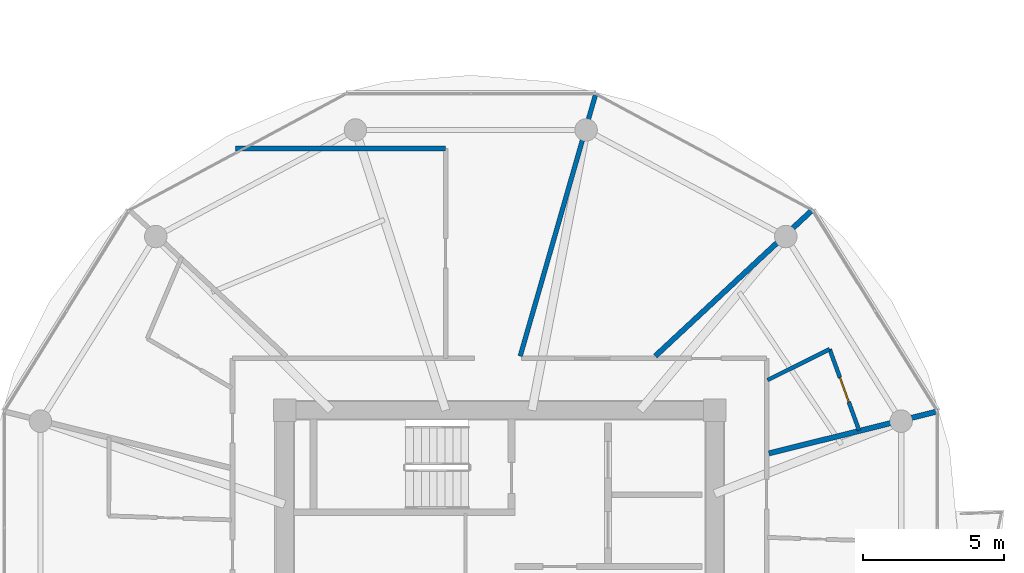
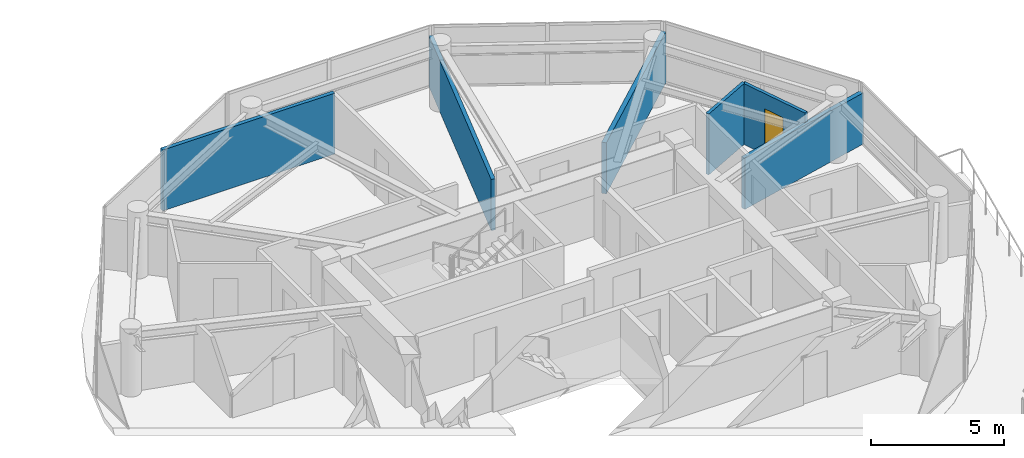
# One storey, part 18 of 24: 6 walls, 1 door, 1 opening.
"""IFC4 building model written with IfcOpenShell, lengths in metres."""

import ifcopenshell
import ifcopenshell.guid

model = None  # the IFC model being written
_history = None  # IfcOwnerHistory: only IFC2X3 demands one
_inside = {}  # id of a spatial element -> (the spatial element, [elements in it])
_under = {}  # id of a project, library or spatial element -> (it, [spatial elements below it])
_declared = {}  # id of a project -> (the project, [libraries it declares])
_typed = {}  # id of a type object -> (the type object, [elements of that type])
_made_of = {}  # id of a material, layer set ... -> (it, [elements and type objects made of it])


def new_model(schema):
    """Start an empty IFC model of exactly this schema.

    Asked for "IFC4X3", IfcOpenShell would pick the latest addendum, in which some entities
    have other attributes; the version numbers below select the first issue.
    IFC2X3 requires an IfcOwnerHistory on every rooted entity: one is made here for all.
    """
    global model, _history
    if schema == "IFC4X3":
        model = ifcopenshell.file(schema_version=(4, 3, 0, 0))
    else:
        model = ifcopenshell.file(schema=schema)
    _inside.clear()
    _under.clear()
    _declared.clear()
    _typed.clear()
    _made_of.clear()
    _history = None
    if model.schema == "IFC2X3":
        org = make("IfcOrganization", Name="unknown")
        user = make(
            "IfcPersonAndOrganization",
            ThePerson=make("IfcPerson", FamilyName="unknown"),
            TheOrganization=org,
        )
        app = make(
            "IfcApplication",
            ApplicationDeveloper=org,
            Version="unknown",
            ApplicationFullName="unknown",
            ApplicationIdentifier="unknown",
        )
        _history = make(
            "IfcOwnerHistory",
            OwningUser=user,
            OwningApplication=app,
            ChangeAction="ADDED",
            CreationDate=0,
        )
    return model


def make(cls, **values):
    """One entity of the class cls with the attributes given. An attribute that is None is left unset."""
    return model.create_entity(
        cls, **{name: value for name, value in values.items() if value is not None}
    )


def rooted(cls, **values):
    """An entity with a GlobalId (a new one), such as an element, a storey or a relation."""
    return make(cls, GlobalId=ifcopenshell.guid.new(), OwnerHistory=_history, **values)


def si_unit(unit_type, name, prefix=None):
    """IfcSIUnit, for example si_unit("LENGTHUNIT", "METRE", prefix="MILLI")."""
    return make("IfcSIUnit", UnitType=unit_type, Prefix=prefix, Name=name)


def assignment(units):
    """IfcUnitAssignment: the units of a project."""
    return None if units is None else make("IfcUnitAssignment", Units=units)


def point(xyz):
    """IfcCartesianPoint."""
    return None if xyz is None else make("IfcCartesianPoint", Coordinates=xyz)


def direction(xyz):
    """IfcDirection."""
    return None if xyz is None else make("IfcDirection", DirectionRatios=xyz)


def frame(location, z_axis=None, x_axis=None):
    """IfcAxis2Placement3D, a coordinate frame: its origin and axes. An axis left out is left unset."""
    return make(
        "IfcAxis2Placement3D",
        Location=point(location),
        Axis=direction(z_axis),
        RefDirection=direction(x_axis),
    )


def frame_2d(location, x_axis=None):
    """IfcAxis2Placement2D, a coordinate frame in the plane: its origin and x axis."""
    return make(
        "IfcAxis2Placement2D", Location=point(location), RefDirection=direction(x_axis)
    )


def origin():
    """The frame at (0, 0, 0) with its axes left unset."""
    return frame((0.0, 0.0, 0.0))


def place(relative_to, where):
    """IfcLocalPlacement: puts the frame where relative to a parent placement (None: the world)."""
    return make(
        "IfcLocalPlacement", PlacementRelTo=relative_to, RelativePlacement=where
    )


def context(
    kind, dimensions, precision=None, world=None, true_north=None, identifier=None
):
    """IfcGeometricRepresentationContext, for example the 3D "Model" context."""
    return make(
        "IfcGeometricRepresentationContext",
        ContextIdentifier=identifier,
        ContextType=kind,
        CoordinateSpaceDimension=dimensions,
        Precision=precision,
        WorldCoordinateSystem=world,
        TrueNorth=true_north,
    )


def subcontext(parent, identifier, kind, view, scale=None):
    """IfcGeometricRepresentationSubContext, for example "Body" below "Model"."""
    return make(
        "IfcGeometricRepresentationSubContext",
        ContextIdentifier=identifier,
        ContextType=kind,
        ParentContext=parent,
        TargetScale=scale,
        TargetView=view,
    )


def project(units=None, contexts=None):
    """IfcProject with its units and contexts."""
    return rooted(
        "IfcProject",
        Name="project",
        RepresentationContexts=contexts,
        UnitsInContext=assignment(units),
    )


def spatial(cls, under=None, at=None, **own):
    """A site, building, storey or space (cls), placed at a placement, below another one or the project."""
    s = rooted(cls, ObjectPlacement=at, **own)
    if under is not None:
        _under.setdefault(under.id(), (under, []))[1].append(s)
    return s


def profile(cls, at=None, kind="AREA", **sizes):
    """A parametric profile (cls). Its sizes go by their IFC names, for example OverallWidth=200.0."""
    return make(cls, ProfileType=kind, Position=at, **sizes)


def rectangle(**sizes):
    """IfcRectangleProfileDef."""
    return profile("IfcRectangleProfileDef", **sizes)


def extrude(swept, where, along, depth):
    """IfcExtrudedAreaSolid: the profile swept, set in the frame where, extruded along a direction by depth."""
    return make(
        "IfcExtrudedAreaSolid",
        SweptArea=swept,
        Position=where,
        ExtrudedDirection=direction(along),
        Depth=depth,
    )


def shape(context_of_items, identifier, shape_type, items):
    """IfcShapeRepresentation: the items that make up one representation, for example the "Body"."""
    return make(
        "IfcShapeRepresentation",
        ContextOfItems=context_of_items,
        RepresentationIdentifier=identifier,
        RepresentationType=shape_type,
        Items=items,
    )


def source(mapping_origin, context_of_items, identifier, shape_type, items):
    """IfcRepresentationMap: a shape defined once, which mapped items show again and again."""
    return make(
        "IfcRepresentationMap",
        MappingOrigin=mapping_origin,
        MappedRepresentation=shape(context_of_items, identifier, shape_type, items),
    )


def transform(
    local_origin,
    x_axis=None,
    y_axis=None,
    z_axis=None,
    scale=None,
    scale2=None,
    scale3=None,
    uniform=True,
):
    """IfcCartesianTransformationOperator3D, or its non-uniform kind. x_axis, y_axis, z_axis: its Axis1, 2, 3."""
    if uniform:
        return make(
            "IfcCartesianTransformationOperator3D",
            Axis1=direction(x_axis),
            Axis2=direction(y_axis),
            LocalOrigin=point(local_origin),
            Scale=scale,
            Axis3=direction(z_axis),
        )
    return make(
        "IfcCartesianTransformationOperator3DnonUniform",
        Axis1=direction(x_axis),
        Axis2=direction(y_axis),
        LocalOrigin=point(local_origin),
        Scale=scale,
        Axis3=direction(z_axis),
        Scale2=scale2,
        Scale3=scale3,
    )


def mapped(mapping_source, mapping_target):
    """IfcMappedItem: shows the shape of a source again, moved by a transform."""
    return make(
        "IfcMappedItem", MappingSource=mapping_source, MappingTarget=mapping_target
    )


def material(Name=None, Category=None):
    """IfcMaterial."""
    return make("IfcMaterial", Name=Name, Category=Category)


def layer(
    of_material, thickness, ventilated=None, Name=None, Category=None, Priority=None
):
    """IfcMaterialLayer: one layer of a wall or slab, of a material (None: an air gap)."""
    return make(
        "IfcMaterialLayer",
        Material=of_material,
        LayerThickness=thickness,
        IsVentilated=ventilated,
        Name=Name,
        Category=Category,
        Priority=Priority,
    )


def layer_set(layers, Name=None):
    """IfcMaterialLayerSet."""
    return make("IfcMaterialLayerSet", MaterialLayers=layers, LayerSetName=Name)


def made_of(thing, what):
    """Note that an element or type object is made of a material, layer set ...; save() writes the relation."""
    if what is not None:
        _made_of.setdefault(what.id(), (what, []))[1].append(thing)
    return thing


def type_object(cls, material=None, **own):
    """A type object (cls), such as IfcWallType, which elements share."""
    return made_of(rooted(cls, **own), material)


def type_shapes(of_type, sources):
    """Give a type object the sources (RepresentationMaps) that its elements show as mapped items."""
    of_type.RepresentationMaps = sources


def element(
    cls,
    number,
    at=None,
    inside=None,
    cuts=None,
    type_object=None,
    material=None,
    context=None,
    identifier="Body",
    shape_type=None,
    held_by="IfcProductDefinitionShape",
    body=None,
    shapes=None,
    **own,
):
    """One element of the class cls, such as IfcWall. Its Tag is "e" and its number.

    at: its placement. inside: the storey or other place that contains it. cuts: it is an
    opening in that element (IfcRelVoidsElement). A single representation is given by context,
    identifier, shape_type and body (its items); several are given by shapes. held_by: the class
    of the entity that holds the representations. save() writes the other relations.
    """
    e = rooted(cls, Tag="e%d" % number, ObjectPlacement=at, **own)
    if body is not None:
        shapes = [shape(context, identifier, shape_type, body)]
    if shapes is not None:
        e.Representation = make(held_by, Representations=shapes)
    if inside is not None:
        _inside.setdefault(inside.id(), (inside, []))[1].append(e)
    if cuts is not None:
        rooted(
            "IfcRelVoidsElement", RelatingBuildingElement=cuts, RelatedOpeningElement=e
        )
    if type_object is not None:
        _typed.setdefault(type_object.id(), (type_object, []))[1].append(e)
    return made_of(e, material)


def fill(opening, filler):
    """IfcRelFillsElement: the door or window that sits in an opening."""
    return rooted(
        "IfcRelFillsElement",
        RelatingOpeningElement=opening,
        RelatedBuildingElement=filler,
    )


def aggregate(whole, parts):
    """IfcRelAggregates: a whole, such as a stair, and the parts it consists of."""
    return rooted("IfcRelAggregates", RelatingObject=whole, RelatedObjects=parts)


def save(model, path):
    """Write the relations noted so far, then the file.

    IfcRelAggregates (storeys below a building ...), IfcRelContainedInSpatialStructure (elements
    in a storey), IfcRelDefinesByType, IfcRelAssociatesMaterial and IfcRelDeclares: one each for
    every whole, place, type object, material and project.
    """
    for whole, parts in _under.values():
        aggregate(whole, parts)
    for where, things in _inside.values():
        rooted(
            "IfcRelContainedInSpatialStructure",
            RelatedElements=things,
            RelatingStructure=where,
        )
    for kind, things in _typed.values():
        rooted("IfcRelDefinesByType", RelatedObjects=things, RelatingType=kind)
    for what, things in _made_of.values():
        rooted("IfcRelAssociatesMaterial", RelatedObjects=things, RelatingMaterial=what)
    for by, libraries in _declared.values():
        rooted("IfcRelDeclares", RelatingContext=by, RelatedDefinitions=libraries)
    model.write(path)


model = new_model("IFC4")

# Units and contexts
model_context = context("Model", 3, precision=1e-05, world=origin(), true_north=direction((0.0, 1.0)))
body_context = subcontext(model_context, "Body", "Model", "MODEL_VIEW")
ifc_project = project(units=[si_unit("LENGTHUNIT", "METRE"), si_unit("AREAUNIT", "SQUARE_METRE"), si_unit("VOLUMEUNIT", "CUBIC_METRE"), si_unit("PLANEANGLEUNIT", "RADIAN"), si_unit("MASSUNIT", "GRAM", prefix="KILO")], contexts=[model_context])

# Site, building, storey
site_placement = place(None, origin())
site = spatial("IfcSite", under=ifc_project, at=site_placement, CompositionType="ELEMENT")
building_placement = place(site_placement, origin())
building = spatial("IfcBuilding", under=site, at=building_placement, Name="Norrkilde Senior Care Towers", CompositionType="ELEMENT")
storey_placement = place(building_placement, frame((0.0, 0.0, 155.64990234375)))
storey = spatial("IfcBuildingStorey", under=building, at=storey_placement, Name="L48", CompositionType="ELEMENT", Elevation=155.64990234375)

# Walls
ifc_material_1 = material(Name="Gypsum Acoustic Board")
ifc_layer_1 = layer(ifc_material_1, 0.1650390625)
ifc_layer_set_1 = layer_set([ifc_layer_1], Name="Gypsum Acoustic Board")
wall_type_1 = type_object("IfcWallType", Name="Corridor Rated Partition 165", PredefinedType="PARTITIONING", material=ifc_layer_set_1)
shared_shape_1 = source(origin(), body_context, "Body", "SweptSolid", [
    extrude(rectangle(XDim=9.73046875, YDim=0.1650390625, at=frame_2d((4.865234375, 0.0))), origin(), (0.0, 0.0, 1.0), 2.34521484375),
])
wall_1_placement = place(storey_placement, frame((28.7333984375, 7.8798828125, 0.0), z_axis=(0.0, 0.0, 1.0), x_axis=(0.27679492614, 0.960929013436, 0.0)))
element("IfcWall", 1, at=wall_1_placement, inside=storey, type_object=wall_type_1, Name="WL-INT-L48-E-DEM-02-0", PredefinedType="PARTITIONING", context=body_context, shape_type="MappedRepresentation", body=[
    mapped(shared_shape_1, transform((0.0, 0.0, 0.0), x_axis=(1.0, 0.0, 0.0), y_axis=(0.0, 1.0, 0.0), z_axis=(0.0, 0.0, 1.0), scale=1.0)),
])
ifc_layer_2 = layer(ifc_material_1, 0.18994140625)
ifc_layer_set_2 = layer_set([ifc_layer_2], Name="Gypsum Acoustic Board")
wall_type_2 = type_object("IfcWallType", Name="Unit Demising Acoustic Wall 190", PredefinedType="PARTITIONING", material=ifc_layer_set_2)
shared_shape_2 = source(origin(), body_context, "Body", "SweptSolid", [
    extrude(rectangle(XDim=6.192626953125, YDim=0.18994140625, at=frame_2d((3.09619140625, 0.0))), origin(), (0.0, 0.0, 1.0), 2.34521484375),
])
wall_2_placement = place(storey_placement, frame((37.580078125, 4.418701171875, 0.0), z_axis=(0.0, 0.0, 1.0), x_axis=(0.970309243466, 0.241867674657, 0.0)))
element("IfcWall", 2, at=wall_2_placement, inside=storey, type_object=wall_type_2, Name="WL-INT-L48-E-DEM-00-0", PredefinedType="PARTITIONING", context=body_context, shape_type="MappedRepresentation", body=[
    mapped(shared_shape_2, transform((0.0, 0.0, 0.0), x_axis=(1.0, 0.0, 0.0), y_axis=(0.0, 1.0, 0.0), z_axis=(0.0, 0.0, 1.0), scale=1.0)),
])
shared_shape_3 = source(origin(), body_context, "Body", "SweptSolid", [
    extrude(rectangle(XDim=7.47314453125, YDim=0.1650390625, at=frame_2d((3.736572265625, 0.0))), origin(), (0.0, 0.0, 1.0), 2.795166015625),
])
type_shapes(wall_type_1, [shared_shape_1, shared_shape_3])
wall_3_placement = place(storey_placement, frame((18.60693359375, 15.265380859375, 0.0), z_axis=(0.0, 0.0, 1.0), x_axis=(1.0, 0.0, 0.0)))
element("IfcWall", 3, at=wall_3_placement, inside=storey, type_object=wall_type_1, Name="WL-INT-L48-E-PKH-NWL-0", PredefinedType="PARTITIONING", context=body_context, shape_type="MappedRepresentation", body=[
    mapped(shared_shape_3, transform((0.0, 0.0, 0.0), x_axis=(1.0, 0.0, 0.0), y_axis=(0.0, 1.0, 0.0), z_axis=(0.0, 0.0, 1.0), scale=1.0)),
])
shared_shape_4 = source(origin(), body_context, "Body", "SweptSolid", [
    extrude(rectangle(XDim=7.64794921875, YDim=0.18994140625, at=frame_2d((3.823974609375, 0.0))), origin(), (0.0, 0.0, 1.0), 2.34521484375),
])
type_shapes(wall_type_2, [shared_shape_2, shared_shape_4])
wall_4_placement = place(storey_placement, frame((33.53759765625, 7.8798828125, 0.0), z_axis=(0.0, 0.0, 1.0), x_axis=(0.732167856666, 0.681124239522, 0.0)))
element("IfcWall", 4, at=wall_4_placement, inside=storey, type_object=wall_type_2, Name="WL-INT-L48-E-DEM-01-0", PredefinedType="PARTITIONING", context=body_context, shape_type="MappedRepresentation", body=[
    mapped(shared_shape_4, transform((0.0, 0.0, 0.0), x_axis=(1.0, 0.0, 0.0), y_axis=(0.0, 1.0, 0.0), z_axis=(0.0, 0.0, 1.0), scale=1.0)),
])
ifc_layer_3 = layer(ifc_material_1, 0.139892578125)
ifc_layer_set_3 = layer_set([ifc_layer_3], Name="Gypsum Acoustic Board")
wall_type_3 = type_object("IfcWallType", Name="En-suite Wet Room Wall 140", PredefinedType="PARTITIONING", material=ifc_layer_set_3)
shared_shape_5 = source(origin(), body_context, "Body", "SweptSolid", [
    extrude(rectangle(XDim=2.470703125, YDim=0.139892578125, at=frame_2d((1.2353515625, 0.0))), origin(), (0.0, 0.0, 1.0), 2.795166015625),
])
wall_5_placement = place(storey_placement, frame((37.530029296875, 7.026123046875, 0.0), z_axis=(0.0, 0.0, 1.0), x_axis=(0.895295102372, 0.445473545419, 0.0)))
element("IfcWall", 5, at=wall_5_placement, inside=storey, type_object=wall_type_3, Name="WL-INT-L48-E-ES-00", PredefinedType="PARTITIONING", context=body_context, shape_type="MappedRepresentation", body=[
    mapped(shared_shape_5, transform((0.0, 0.0, 0.0), x_axis=(1.0, 0.0, 0.0), y_axis=(0.0, 1.0, 0.0), z_axis=(0.0, 0.0, 1.0), scale=1.0)),
])

# Wall, opening, door
shared_shape_6 = source(origin(), body_context, "Body", "SweptSolid", [
    extrude(rectangle(XDim=3.072265625, YDim=0.139892578125, at=frame_2d((1.5361328125, 0.0))), origin(), (0.0, 0.0, 1.0), 2.795166015625),
])
type_shapes(wall_type_3, [shared_shape_5, shared_shape_6])
wall_6_placement = place(storey_placement, frame((39.741943359375, 8.126708984375, 0.0), z_axis=(0.0, 0.0, 1.0), x_axis=(0.340913456846, -0.94009468403, 0.0)))
wall_6 = element("IfcWall", 6, at=wall_6_placement, inside=storey, type_object=wall_type_3, Name="WL-INT-L48-E-EF-00", PredefinedType="PARTITIONING", context=body_context, shape_type="MappedRepresentation", body=[
    mapped(shared_shape_6, transform((0.0, 0.0, 0.0), x_axis=(1.0, 0.0, 0.0), y_axis=(0.0, 1.0, 0.0), z_axis=(0.0, 0.0, 1.0), scale=1.0)),
])
opening_placement = place(wall_6_placement, frame((1.075927734375, 0.0, 0.0)))
opening = element("IfcOpeningElement", 7, at=opening_placement, cuts=wall_6, Name="Opening D-08", PredefinedType="OPENING", context=body_context, shape_type="SweptSolid", body=[
    extrude(rectangle(XDim=0.919921875, YDim=2.10009765625, at=frame_2d((0.4599609375, 1.050048828125))), frame((0.0, 0.079833984375, 0.0), z_axis=(0.0, -1.0, 0.0), x_axis=(1.0, 0.0, 0.0)), (0.0, 0.0, 1.0), 0.159912109375),
])
ifc_material_2 = material(Name="Nordic Ash Timber", Category="wood")
door_type = type_object("IfcDoorType", Name="Accessible Wet Room Door 920x2100", OperationType="NOTDEFINED", PredefinedType="DOOR", material=ifc_material_2)
shared_shape_7 = source(origin(), body_context, "Body", "SweptSolid", [
    extrude(rectangle(XDim=0.919921875, YDim=2.10009765625, at=frame_2d((0.4599609375, 1.050048828125))), frame((0.0, 0.02490234375, 0.0), z_axis=(0.0, -1.0, 0.0), x_axis=(1.0, 0.0, 0.0)), (0.0, 0.0, 1.0), 0.050048828125),
])
type_shapes(door_type, [shared_shape_7])
door_placement = place(opening_placement, origin())
door = element("IfcDoor", 8, at=door_placement, inside=storey, type_object=door_type, Name="L48 Studio 48G Bathroom Door", OperationType="SINGLE_SWING_RIGHT", OverallHeight=2.10009765625, OverallWidth=0.919921875, PredefinedType="DOOR", context=body_context, shape_type="MappedRepresentation", body=[
    mapped(shared_shape_7, transform((0.0, 0.0, 0.0), x_axis=(1.0, 0.0, 0.0), y_axis=(0.0, 1.0, 0.0), z_axis=(0.0, 0.0, 1.0), scale=1.0)),
])
fill(opening, door)

save(model, "model.ifc")
